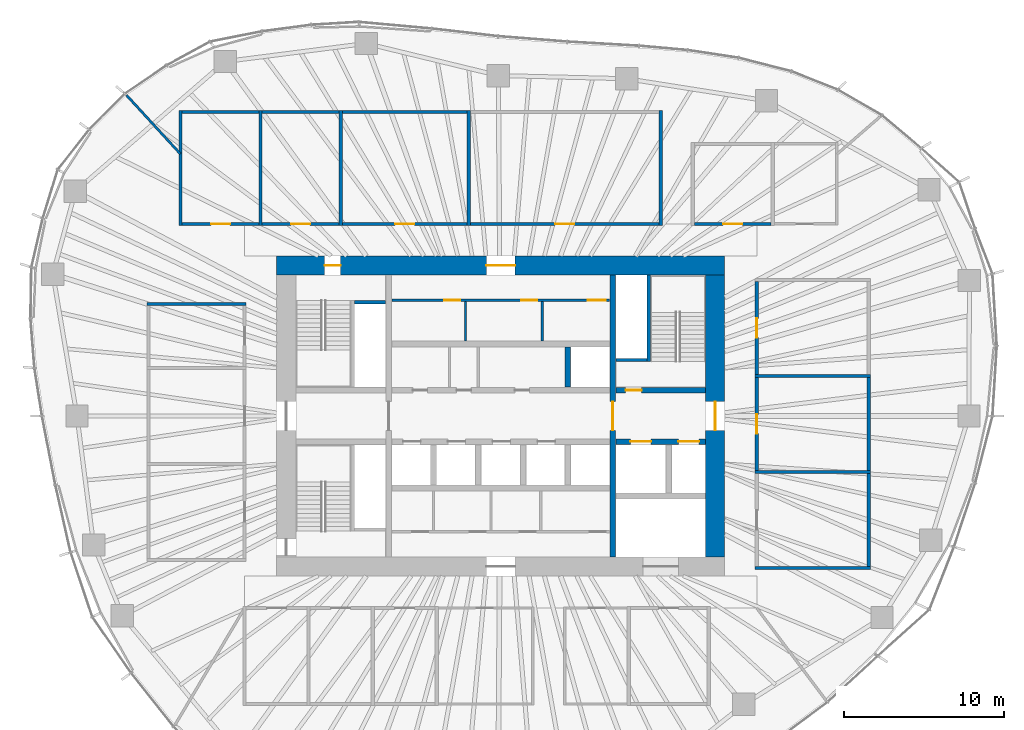
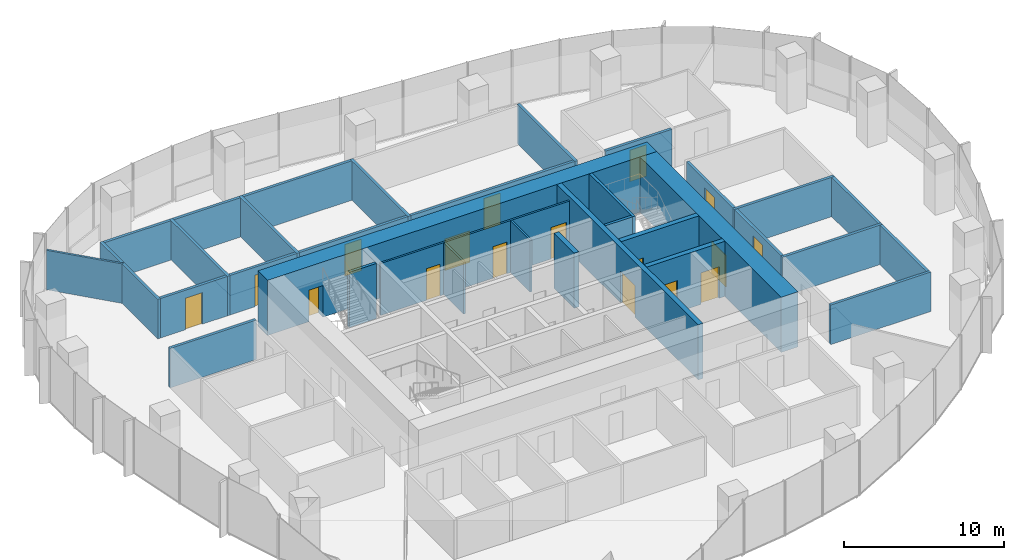
# One storey, part 10 of 18: 34 walls, 17 doors, 17 openings.
"""IFC4 building model written with IfcOpenShell, lengths in metres."""

from ifc_helpers import new_model, si_unit, direction, frame, frame_2d, origin, place, context, subcontext, project, spatial, rectangle, extrude, material, layer, layer_set, type_object, element, fill, save


model = new_model("IFC4")

# Units and contexts
model_context = context("Model", 3, precision=1e-05, world=origin(), true_north=direction((0.0, 1.0)))
body_context = subcontext(model_context, "Body", "Model", "MODEL_VIEW")
ifc_project = project(units=[si_unit("LENGTHUNIT", "METRE"), si_unit("AREAUNIT", "SQUARE_METRE"), si_unit("VOLUMEUNIT", "CUBIC_METRE"), si_unit("PLANEANGLEUNIT", "RADIAN"), si_unit("MASSUNIT", "GRAM", prefix="KILO")], contexts=[model_context])

# Site, building, storey
site_placement = place(None, origin())
site = spatial("IfcSite", under=ifc_project, at=site_placement, CompositionType="ELEMENT")
building_placement = place(site_placement, origin())
building = spatial("IfcBuilding", under=site, at=building_placement, Name="Ghaith Harvest Tower", CompositionType="ELEMENT")
storey_placement = place(building_placement, frame((0.0, 0.0, 176.39990234375)))
storey = spatial("IfcBuildingStorey", under=building, at=storey_placement, Name="L38", CompositionType="ELEMENT", Elevation=176.39990234375)

# Walls
ifc_material_1 = material(Name="Twin-stud gypsum board, acoustic", Category="gypsum")
ifc_layer_1 = layer(ifc_material_1, 0.199951171875)
ifc_layer_set_1 = layer_set([ifc_layer_1], Name="ACOUSTIC PARTITION 200")
wall_type_1 = type_object("IfcWallType", Name="ACOUSTIC PARTITION 200", PredefinedType="PARTITIONING", material=ifc_layer_set_1)
for number, where, z_axis, x_axis, name in (
    (1, (-20.0, 11.89990234375, 0.0), (0.0, 0.0, 1.0), (0.0, 1.0, 0.0), "Partition L38 row N1 cross wall 1"),
    (2, (-15.0, 11.89990234375, 0.0), (0.0, 0.0, 1.0), (0.0, 1.0, 0.0), "Partition L38 row N1 cross wall 2"),
    (3, (-10.0, 11.89990234375, 0.0), (0.0, 0.0, 1.0), (0.0, 1.0, 0.0), "Partition L38 row N1 cross wall 3"),
    (4, (-2.0, 11.89990234375, 0.0), (0.0, 0.0, 1.0), (0.0, 1.0, 0.0), "Partition L38 row N1 cross wall 4"),
    (5, (10.0, 11.89990234375, 0.0), (0.0, 0.0, 1.0), (0.0, 1.0, 0.0), "Partition L38 row N1 cross wall 5"),
):
    element("IfcWall", number, at=place(storey_placement, frame(where, z_axis=z_axis, x_axis=x_axis)), inside=storey, type_object=wall_type_1, Name=name, PredefinedType="PARTITIONING", context=body_context, shape_type="SweptSolid", body=[
        extrude(rectangle(XDim=7.2001953125, YDim=0.199951171875, at=frame_2d((3.60009765625, 0.0))), origin(), (0.0, 0.0, 1.0), 3.0),
    ])

# Wall, opening, door
wall_1_placement = place(storey_placement, frame((-19.89990234375, 12.0, 0.0), z_axis=(0.0, 0.0, 1.0), x_axis=(1.0, 0.0, 0.0)))
wall_1 = element("IfcWall", 6, at=wall_1_placement, inside=storey, type_object=wall_type_1, Name="Partition L38-01", PredefinedType="PARTITIONING", context=body_context, shape_type="SweptSolid", body=[
    extrude(rectangle(XDim=4.7998046875, YDim=0.199951171875, at=frame_2d((2.39990234375, 0.0))), origin(), (0.0, 0.0, 1.0), 3.0),
])
opening_1_placement = place(wall_1_placement, frame((1.800048828125, 0.0, 0.0)))
opening_1 = element("IfcOpeningElement", 7, at=opening_1_placement, cuts=wall_1, Name="Opening 38-027", PredefinedType="OPENING", context=body_context, shape_type="SweptSolid", body=[
    extrude(rectangle(XDim=1.199951171875, YDim=2.39990234375, at=frame_2d((0.60009765625, 1.199951171875))), frame((0.0, 0.10986328125, 0.0), z_axis=(0.0, -1.0, 0.0), x_axis=(1.0, 0.0, 0.0)), (0.0, 0.0, 1.0), 0.219970703125),
])
ifc_material_2 = material(Name="Timber door", Category="wood")
door_type_1 = type_object("IfcDoorType", Name="D11 GLAZED 1200x2400", OperationType="SINGLE_SWING_LEFT", PredefinedType="DOOR", material=ifc_material_2)
door_1_placement = place(opening_1_placement, origin())
door_1 = element("IfcDoor", 8, at=door_1_placement, inside=storey, type_object=door_type_1, Name="Meeting room door", OperationType="SINGLE_SWING_LEFT", OverallHeight=2.39990234375, OverallWidth=1.199951171875, PredefinedType="DOOR", context=body_context, shape_type="SweptSolid", body=[
    extrude(rectangle(XDim=1.199951171875, YDim=2.39990234375, at=frame_2d((0.60009765625, 1.199951171875))), frame((0.0, 0.02490234375, 0.0), z_axis=(0.0, -1.0, 0.0), x_axis=(1.0, 0.0, 0.0)), (0.0, 0.0, 1.0), 0.050048828125),
])
fill(opening_1, door_1)

# Wall
wall_2_placement = place(storey_placement, frame((-19.89990234375, 19.0, 0.0), z_axis=(0.0, 0.0, 1.0), x_axis=(1.0, 0.0, 0.0)))
element("IfcWall", 9, at=wall_2_placement, inside=storey, type_object=wall_type_1, Name="Partition L38-01", PredefinedType="PARTITIONING", context=body_context, shape_type="SweptSolid", body=[
    extrude(rectangle(XDim=4.7998046875, YDim=0.199951171875, at=frame_2d((2.39990234375, 0.0))), origin(), (0.0, 0.0, 1.0), 3.0),
])

# Wall, opening, door
wall_3_placement = place(storey_placement, frame((-14.89990234375, 12.0, 0.0), z_axis=(0.0, 0.0, 1.0), x_axis=(1.0, 0.0, 0.0)))
wall_3 = element("IfcWall", 10, at=wall_3_placement, inside=storey, type_object=wall_type_1, Name="Partition L38-02", PredefinedType="PARTITIONING", context=body_context, shape_type="SweptSolid", body=[
    extrude(rectangle(XDim=4.7998046875, YDim=0.199951171875, at=frame_2d((2.39990234375, 0.0))), origin(), (0.0, 0.0, 1.0), 3.0),
])
opening_2_placement = place(wall_3_placement, frame((1.800048828125, 0.0, 0.0)))
opening_2 = element("IfcOpeningElement", 11, at=opening_2_placement, cuts=wall_3, Name="Opening 38-028", PredefinedType="OPENING", context=body_context, shape_type="SweptSolid", body=[
    extrude(rectangle(XDim=1.199951171875, YDim=2.39990234375, at=frame_2d((0.60009765625, 1.199951171875))), frame((0.0, 0.10986328125, 0.0), z_axis=(0.0, -1.0, 0.0), x_axis=(1.0, 0.0, 0.0)), (0.0, 0.0, 1.0), 0.219970703125),
])
door_2_placement = place(opening_2_placement, origin())
door_2 = element("IfcDoor", 12, at=door_2_placement, inside=storey, type_object=door_type_1, Name="Meeting room door", OperationType="SINGLE_SWING_LEFT", OverallHeight=2.39990234375, OverallWidth=1.199951171875, PredefinedType="DOOR", context=body_context, shape_type="SweptSolid", body=[
    extrude(rectangle(XDim=1.199951171875, YDim=2.39990234375, at=frame_2d((0.60009765625, 1.199951171875))), frame((0.0, 0.02490234375, 0.0), z_axis=(0.0, -1.0, 0.0), x_axis=(1.0, 0.0, 0.0)), (0.0, 0.0, 1.0), 0.050048828125),
])
fill(opening_2, door_2)

# Wall
wall_4_placement = place(storey_placement, frame((-14.89990234375, 19.0, 0.0), z_axis=(0.0, 0.0, 1.0), x_axis=(1.0, 0.0, 0.0)))
element("IfcWall", 13, at=wall_4_placement, inside=storey, type_object=wall_type_1, Name="Partition L38-02", PredefinedType="PARTITIONING", context=body_context, shape_type="SweptSolid", body=[
    extrude(rectangle(XDim=4.7998046875, YDim=0.199951171875, at=frame_2d((2.39990234375, 0.0))), origin(), (0.0, 0.0, 1.0), 3.0),
])

# Wall, opening, door
wall_5_placement = place(storey_placement, frame((-9.89990234375, 12.0, 0.0), z_axis=(0.0, 0.0, 1.0), x_axis=(1.0, 0.0, 0.0)))
wall_5 = element("IfcWall", 14, at=wall_5_placement, inside=storey, type_object=wall_type_1, Name="Partition L38-03", PredefinedType="PARTITIONING", context=body_context, shape_type="SweptSolid", body=[
    extrude(rectangle(XDim=7.7998046875, YDim=0.199951171875, at=frame_2d((3.89990234375, 0.0))), origin(), (0.0, 0.0, 1.0), 3.0),
])
opening_3_placement = place(wall_5_placement, frame((3.300048828125, 0.0, 0.0)))
opening_3 = element("IfcOpeningElement", 15, at=opening_3_placement, cuts=wall_5, Name="Opening 38-029", PredefinedType="OPENING", context=body_context, shape_type="SweptSolid", body=[
    extrude(rectangle(XDim=1.199951171875, YDim=2.39990234375, at=frame_2d((0.60009765625, 1.199951171875))), frame((0.0, 0.10986328125, 0.0), z_axis=(0.0, -1.0, 0.0), x_axis=(1.0, 0.0, 0.0)), (0.0, 0.0, 1.0), 0.219970703125),
])
door_3_placement = place(opening_3_placement, origin())
door_3 = element("IfcDoor", 16, at=door_3_placement, inside=storey, type_object=door_type_1, Name="Meeting room door", OperationType="SINGLE_SWING_LEFT", OverallHeight=2.39990234375, OverallWidth=1.199951171875, PredefinedType="DOOR", context=body_context, shape_type="SweptSolid", body=[
    extrude(rectangle(XDim=1.199951171875, YDim=2.39990234375, at=frame_2d((0.60009765625, 1.199951171875))), frame((0.0, 0.02490234375, 0.0), z_axis=(0.0, -1.0, 0.0), x_axis=(1.0, 0.0, 0.0)), (0.0, 0.0, 1.0), 0.050048828125),
])
fill(opening_3, door_3)

# Wall
wall_6_placement = place(storey_placement, frame((-9.89990234375, 19.0, 0.0), z_axis=(0.0, 0.0, 1.0), x_axis=(1.0, 0.0, 0.0)))
element("IfcWall", 17, at=wall_6_placement, inside=storey, type_object=wall_type_1, Name="Partition L38-03", PredefinedType="PARTITIONING", context=body_context, shape_type="SweptSolid", body=[
    extrude(rectangle(XDim=7.7998046875, YDim=0.199951171875, at=frame_2d((3.89990234375, 0.0))), origin(), (0.0, 0.0, 1.0), 3.0),
])

# Wall, opening, door
wall_7_placement = place(storey_placement, frame((-1.89990234375, 12.0, 0.0), z_axis=(0.0, 0.0, 1.0), x_axis=(1.0, 0.0, 0.0)))
wall_7 = element("IfcWall", 18, at=wall_7_placement, inside=storey, type_object=wall_type_1, Name="Partition L38-04", PredefinedType="PARTITIONING", context=body_context, shape_type="SweptSolid", body=[
    extrude(rectangle(XDim=11.7998046875, YDim=0.199951171875, at=frame_2d((5.89990234375, 0.0))), origin(), (0.0, 0.0, 1.0), 3.0),
])
opening_4_placement = place(wall_7_placement, frame((5.300048828125, 0.0, 0.0)))
opening_4 = element("IfcOpeningElement", 19, at=opening_4_placement, cuts=wall_7, Name="Opening 38-030", PredefinedType="OPENING", context=body_context, shape_type="SweptSolid", body=[
    extrude(rectangle(XDim=1.199951171875, YDim=2.39990234375, at=frame_2d((0.60009765625, 1.199951171875))), frame((0.0, 0.10986328125, 0.0), z_axis=(0.0, -1.0, 0.0), x_axis=(1.0, 0.0, 0.0)), (0.0, 0.0, 1.0), 0.219970703125),
])
door_4_placement = place(opening_4_placement, origin())
door_4 = element("IfcDoor", 20, at=door_4_placement, inside=storey, type_object=door_type_1, Name="Boardroom door", OperationType="SINGLE_SWING_LEFT", OverallHeight=2.39990234375, OverallWidth=1.199951171875, PredefinedType="DOOR", context=body_context, shape_type="SweptSolid", body=[
    extrude(rectangle(XDim=1.199951171875, YDim=2.39990234375, at=frame_2d((0.60009765625, 1.199951171875))), frame((0.0, 0.02490234375, 0.0), z_axis=(0.0, -1.0, 0.0), x_axis=(1.0, 0.0, 0.0)), (0.0, 0.0, 1.0), 0.050048828125),
])
fill(opening_4, door_4)

# Walls
for number, where, z_axis, x_axis, name in (
    (21, (15.89990234375, -9.5, 0.0), (0.0, 0.0, 1.0), (1.0, 0.0, 0.0), "Partition L38 row E2 cross wall 1"),
    (22, (15.89990234375, -3.5, 0.0), (0.0, 0.0, 1.0), (1.0, 0.0, 0.0), "Partition L38 row E2 cross wall 2"),
    (23, (15.89990234375, 2.5, 0.0), (0.0, 0.0, 1.0), (1.0, 0.0, 0.0), "Partition L38 row E2 cross wall 3"),
):
    element("IfcWall", number, at=place(storey_placement, frame(where, z_axis=z_axis, x_axis=x_axis)), inside=storey, type_object=wall_type_1, Name=name, PredefinedType="PARTITIONING", context=body_context, shape_type="SweptSolid", body=[
        extrude(rectangle(XDim=7.2001953125, YDim=0.199951171875, at=frame_2d((3.60009765625, 0.0))), origin(), (0.0, 0.0, 1.0), 3.0),
    ])
wall_8_placement = place(storey_placement, frame((23.0, -9.39990234375, 0.0), z_axis=(0.0, 0.0, 1.0), x_axis=(0.0, 1.0, 0.0)))
element("IfcWall", 24, at=wall_8_placement, inside=storey, type_object=wall_type_1, Name="Partition L38-05", PredefinedType="PARTITIONING", context=body_context, shape_type="SweptSolid", body=[
    extrude(rectangle(XDim=5.7998046875, YDim=0.199951171875, at=frame_2d((2.89990234375, 0.0))), origin(), (0.0, 0.0, 1.0), 3.0),
])

# Wall, opening, door
wall_9_placement = place(storey_placement, frame((16.0, -3.39990234375, 0.0), z_axis=(0.0, 0.0, 1.0), x_axis=(0.0, 1.0, 0.0)))
wall_9 = element("IfcWall", 25, at=wall_9_placement, inside=storey, type_object=wall_type_1, Name="Partition L38-06", PredefinedType="PARTITIONING", context=body_context, shape_type="SweptSolid", body=[
    extrude(rectangle(XDim=5.7998046875, YDim=0.199951171875, at=frame_2d((2.89990234375, 0.0))), origin(), (0.0, 0.0, 1.0), 3.0),
])
opening_5_placement = place(wall_9_placement, frame((2.300048828125, 0.0, 0.0)))
opening_5 = element("IfcOpeningElement", 26, at=opening_5_placement, cuts=wall_9, Name="Opening 38-032", PredefinedType="OPENING", context=body_context, shape_type="SweptSolid", body=[
    extrude(rectangle(XDim=1.199951171875, YDim=2.39990234375, at=frame_2d((0.60009765625, 1.199951171875))), frame((0.0, 0.10986328125, 0.0), z_axis=(0.0, -1.0, 0.0), x_axis=(1.0, 0.0, 0.0)), (0.0, 0.0, 1.0), 0.219970703125),
])
door_5_placement = place(opening_5_placement, origin())
door_5 = element("IfcDoor", 27, at=door_5_placement, inside=storey, type_object=door_type_1, Name="Meeting room door", OperationType="SINGLE_SWING_LEFT", OverallHeight=2.39990234375, OverallWidth=1.199951171875, PredefinedType="DOOR", context=body_context, shape_type="SweptSolid", body=[
    extrude(rectangle(XDim=1.199951171875, YDim=2.39990234375, at=frame_2d((0.60009765625, 1.199951171875))), frame((0.0, 0.02490234375, 0.0), z_axis=(0.0, -1.0, 0.0), x_axis=(1.0, 0.0, 0.0)), (0.0, 0.0, 1.0), 0.050048828125),
])
fill(opening_5, door_5)

# Wall
wall_10_placement = place(storey_placement, frame((23.0, -3.39990234375, 0.0), z_axis=(0.0, 0.0, 1.0), x_axis=(0.0, 1.0, 0.0)))
element("IfcWall", 28, at=wall_10_placement, inside=storey, type_object=wall_type_1, Name="Partition L38-06", PredefinedType="PARTITIONING", context=body_context, shape_type="SweptSolid", body=[
    extrude(rectangle(XDim=5.7998046875, YDim=0.199951171875, at=frame_2d((2.89990234375, 0.0))), origin(), (0.0, 0.0, 1.0), 3.0),
])

# Wall, opening, door
wall_11_placement = place(storey_placement, frame((16.0, 2.60009765625, 0.0), z_axis=(0.0, 0.0, 1.0), x_axis=(0.0, 1.0, 0.0)))
wall_11 = element("IfcWall", 29, at=wall_11_placement, inside=storey, type_object=wall_type_1, Name="Partition L38-07", PredefinedType="PARTITIONING", context=body_context, shape_type="SweptSolid", body=[
    extrude(rectangle(XDim=5.7998046875, YDim=0.199951171875, at=frame_2d((2.89990234375, 0.0))), origin(), (0.0, 0.0, 1.0), 3.0),
])
opening_6_placement = place(wall_11_placement, frame((2.300048828125, 0.0, 0.0)))
opening_6 = element("IfcOpeningElement", 30, at=opening_6_placement, cuts=wall_11, Name="Opening 38-033", PredefinedType="OPENING", context=body_context, shape_type="SweptSolid", body=[
    extrude(rectangle(XDim=1.199951171875, YDim=2.39990234375, at=frame_2d((0.60009765625, 1.199951171875))), frame((0.0, 0.10986328125, 0.0), z_axis=(0.0, -1.0, 0.0), x_axis=(1.0, 0.0, 0.0)), (0.0, 0.0, 1.0), 0.219970703125),
])
door_6_placement = place(opening_6_placement, origin())
door_6 = element("IfcDoor", 31, at=door_6_placement, inside=storey, type_object=door_type_1, Name="Meeting room door", OperationType="SINGLE_SWING_LEFT", OverallHeight=2.39990234375, OverallWidth=1.199951171875, PredefinedType="DOOR", context=body_context, shape_type="SweptSolid", body=[
    extrude(rectangle(XDim=1.199951171875, YDim=2.39990234375, at=frame_2d((0.60009765625, 1.199951171875))), frame((0.0, 0.02490234375, 0.0), z_axis=(0.0, -1.0, 0.0), x_axis=(1.0, 0.0, 0.0)), (0.0, 0.0, 1.0), 0.050048828125),
])
fill(opening_6, door_6)

# Wall
wall_12_placement = place(storey_placement, frame((-15.89990234375, 7.0, 0.0), z_axis=(0.0, 0.0, 1.0), x_axis=(-1.0, 0.0, 0.0)))
element("IfcWall", 32, at=wall_12_placement, inside=storey, type_object=wall_type_1, Name="Partition L38 row W5 cross wall 4", PredefinedType="PARTITIONING", context=body_context, shape_type="SweptSolid", body=[
    extrude(rectangle(XDim=6.2001953125, YDim=0.199951171875, at=frame_2d((3.10009765625, 0.0))), origin(), (0.0, 0.0, 1.0), 3.0),
])

# Wall, opening, door
wall_13_placement = place(storey_placement, frame((12.10009765625, 12.0, 0.0), z_axis=(0.0, 0.0, 1.0), x_axis=(1.0, 0.0, 0.0)))
wall_13 = element("IfcWall", 33, at=wall_13_placement, inside=storey, type_object=wall_type_1, Name="Partition L38-17", PredefinedType="PARTITIONING", context=body_context, shape_type="SweptSolid", body=[
    extrude(rectangle(XDim=4.7998046875, YDim=0.199951171875, at=frame_2d((2.39990234375, 0.0))), origin(), (0.0, 0.0, 1.0), 3.0),
])
opening_7_placement = place(wall_13_placement, frame((1.800048828125, 0.0, 0.0)))
opening_7 = element("IfcOpeningElement", 34, at=opening_7_placement, cuts=wall_13, Name="Opening 38-043", PredefinedType="OPENING", context=body_context, shape_type="SweptSolid", body=[
    extrude(rectangle(XDim=1.199951171875, YDim=2.39990234375, at=frame_2d((0.60009765625, 1.199951171875))), frame((0.0, 0.10986328125, 0.0), z_axis=(0.0, -1.0, 0.0), x_axis=(1.0, 0.0, 0.0)), (0.0, 0.0, 1.0), 0.219970703125),
])
door_7_placement = place(opening_7_placement, origin())
door_7 = element("IfcDoor", 35, at=door_7_placement, inside=storey, type_object=door_type_1, Name="Meeting room door", OperationType="SINGLE_SWING_LEFT", OverallHeight=2.39990234375, OverallWidth=1.199951171875, PredefinedType="DOOR", context=body_context, shape_type="SweptSolid", body=[
    extrude(rectangle(XDim=1.199951171875, YDim=2.39990234375, at=frame_2d((0.60009765625, 1.199951171875))), frame((0.0, 0.02490234375, 0.0), z_axis=(0.0, -1.0, 0.0), x_axis=(1.0, 0.0, 0.0)), (0.0, 0.0, 1.0), 0.050048828125),
])
fill(opening_7, door_7)

# Wall, openings, doors
ifc_material_3 = material(Name="Concrete blockwork, fair-faced", Category="masonry")
ifc_layer_2 = layer(ifc_material_3, 0.139892578125)
ifc_layer_set_2 = layer_set([ifc_layer_2], Name="CORE PARTITION 140")
wall_type_2 = type_object("IfcWallType", Name="CORE PARTITION 140", PredefinedType="PARTITIONING", material=ifc_layer_set_2)
wall_14_placement = place(storey_placement, frame((-6.800048828125, 7.22998046875, 0.0), z_axis=(0.0, 0.0, 1.0), x_axis=(1.0, 0.0, 0.0)))
wall_14 = element("IfcWall", 36, at=wall_14_placement, inside=storey, type_object=wall_type_2, Name="Core partition L38", PredefinedType="PARTITIONING", context=body_context, shape_type="SweptSolid", body=[
    extrude(rectangle(XDim=13.60009765625, YDim=0.139892578125, at=frame_2d((6.800048828125, 0.0))), origin(), (0.0, 0.0, 1.0), 3.9501953125),
])
opening_8_placement = place(wall_14_placement, frame((3.280029296875, 0.0, 0.0)))
opening_8 = element("IfcOpeningElement", 37, at=opening_8_placement, cuts=wall_14, Name="Opening 38-008", PredefinedType="OPENING", context=body_context, shape_type="SweptSolid", body=[
    extrude(rectangle(XDim=1.0, YDim=2.39990234375, at=frame_2d((0.5, 1.199951171875))), frame((0.0, 0.080078125, 0.0), z_axis=(0.0, -1.0, 0.0), x_axis=(1.0, 0.0, 0.0)), (0.0, 0.0, 1.0), 0.159912109375),
])
opening_9_placement = place(wall_14_placement, frame((8.080078125, 0.0, 0.0)))
opening_9 = element("IfcOpeningElement", 38, at=opening_9_placement, cuts=wall_14, Name="Opening 38-009", PredefinedType="OPENING", context=body_context, shape_type="SweptSolid", body=[
    extrude(rectangle(XDim=1.0, YDim=2.39990234375, at=frame_2d((0.5, 1.199951171875))), frame((0.0, 0.080078125, 0.0), z_axis=(0.0, -1.0, 0.0), x_axis=(1.0, 0.0, 0.0)), (0.0, 0.0, 1.0), 0.159912109375),
])
opening_10_placement = place(wall_14_placement, frame((12.25, 0.0, 0.0)))
opening_10 = element("IfcOpeningElement", 39, at=opening_10_placement, cuts=wall_14, Name="Opening 38-010", PredefinedType="OPENING", context=body_context, shape_type="SweptSolid", body=[
    extrude(rectangle(XDim=1.10009765625, YDim=2.39990234375, at=frame_2d((0.550048828125, 1.199951171875))), frame((0.0, 0.080078125, 0.0), z_axis=(0.0, -1.0, 0.0), x_axis=(1.0, 0.0, 0.0)), (0.0, 0.0, 1.0), 0.159912109375),
])
ifc_material_4 = material(Name="Steel fire door", Category="steel")
door_type_2 = type_object("IfcDoorType", Name="D3 FD90 1000x2400", OperationType="SINGLE_SWING_LEFT", PredefinedType="DOOR", material=ifc_material_4)
door_8_placement = place(opening_8_placement, origin())
door_8 = element("IfcDoor", 40, at=door_8_placement, inside=storey, type_object=door_type_2, Name="Female WC door", OperationType="SINGLE_SWING_LEFT", OverallHeight=2.39990234375, OverallWidth=1.0, PredefinedType="DOOR", context=body_context, shape_type="SweptSolid", body=[
    extrude(rectangle(XDim=1.0, YDim=2.39990234375, at=frame_2d((0.5, 1.199951171875))), frame((0.0, 0.02490234375, 0.0), z_axis=(0.0, -1.0, 0.0), x_axis=(1.0, 0.0, 0.0)), (0.0, 0.0, 1.0), 0.050048828125),
])
fill(opening_8, door_8)
door_9_placement = place(opening_9_placement, origin())
door_9 = element("IfcDoor", 41, at=door_9_placement, inside=storey, type_object=door_type_2, Name="Male WC door", OperationType="SINGLE_SWING_RIGHT", OverallHeight=2.39990234375, OverallWidth=1.0, PredefinedType="DOOR", context=body_context, shape_type="SweptSolid", body=[
    extrude(rectangle(XDim=1.0, YDim=2.39990234375, at=frame_2d((0.5, 1.199951171875))), frame((0.0, 0.02490234375, 0.0), z_axis=(0.0, -1.0, 0.0), x_axis=(1.0, 0.0, 0.0)), (0.0, 0.0, 1.0), 0.050048828125),
])
fill(opening_9, door_9)
ifc_material_5 = material(Name="Steel fire door", Category="steel")
door_type_3 = type_object("IfcDoorType", Name="D9 FD90 1100x2400", OperationType="SINGLE_SWING_LEFT", PredefinedType="DOOR", material=ifc_material_5)
door_10_placement = place(opening_10_placement, origin())
door_10 = element("IfcDoor", 42, at=door_10_placement, inside=storey, type_object=door_type_3, Name="Accessible WC door", OperationType="SINGLE_SWING_RIGHT", OverallHeight=2.39990234375, OverallWidth=1.10009765625, PredefinedType="DOOR", context=body_context, shape_type="SweptSolid", body=[
    extrude(rectangle(XDim=1.10009765625, YDim=2.39990234375, at=frame_2d((0.550048828125, 1.199951171875))), frame((0.0, 0.02490234375, 0.0), z_axis=(0.0, -1.0, 0.0), x_axis=(1.0, 0.0, 0.0)), (0.0, 0.0, 1.0), 0.050048828125),
])
fill(opening_10, door_10)

# Walls
for number, where, z_axis, x_axis, name in (
    (43, (-2.199951171875, 4.699951171875, 0.0), (0.0, 0.0, 1.0), (0.0, 1.0, 0.0), "Core partition L38"),
    (44, (2.60009765625, 4.699951171875, 0.0), (0.0, 0.0, 1.0), (0.0, 1.0, 0.0), "Core partition L38"),
):
    element("IfcWall", number, at=place(storey_placement, frame(where, z_axis=z_axis, x_axis=x_axis)), inside=storey, type_object=wall_type_2, Name=name, PredefinedType="PARTITIONING", context=body_context, shape_type="SweptSolid", body=[
        extrude(rectangle(XDim=2.4599609375, YDim=0.139892578125, at=frame_2d((1.22998046875, 0.0))), origin(), (0.0, 0.0, 1.0), 3.9501953125),
    ])

# Wall, openings, doors
ifc_material_6 = material(Name="Concrete C60/75", Category="concrete")
ifc_layer_3 = layer(ifc_material_6, 1.199951171875)
ifc_layer_set_3 = layer_set([ifc_layer_3], Name="CORE WALL CW1200 C60")
wall_type_3 = type_object("IfcWallType", Name="CORE WALL CW1200 C60", PredefinedType="SHEAR", material=ifc_layer_set_3)
wall_15_placement = place(storey_placement, frame((14.0, 9.39990234375, 0.0), z_axis=(0.0, 0.0, 1.0), x_axis=(-1.0, 0.0, 0.0)))
wall_15 = element("IfcWall", 45, at=wall_15_placement, inside=storey, type_object=wall_type_3, Name="Core wall N L38", PredefinedType="SHEAR", context=body_context, shape_type="SweptSolid", body=[
    extrude(rectangle(XDim=28.0, YDim=1.199951171875, at=frame_2d((14.0, 0.0))), origin(), (0.0, 0.0, 1.0), 4.2001953125),
])
opening_11_placement = place(wall_15_placement, frame((24.0, 0.0, 0.0)))
opening_11 = element("IfcOpeningElement", 46, at=opening_11_placement, cuts=wall_15, Name="Opening 38-005", PredefinedType="OPENING", context=body_context, shape_type="SweptSolid", body=[
    extrude(rectangle(XDim=1.0, YDim=2.39990234375, at=frame_2d((0.5, 1.199951171875))), frame((0.0, 0.60986328125, 0.0), z_axis=(0.0, -1.0, 0.0), x_axis=(1.0, 0.0, 0.0)), (0.0, 0.0, 1.0), 1.219970703125),
])
opening_12_placement = place(wall_15_placement, frame((13.10009765625, 0.0, 0.0)))
opening_12 = element("IfcOpeningElement", 47, at=opening_12_placement, cuts=wall_15, Name="Opening 38-018", PredefinedType="OPENING", context=body_context, shape_type="SweptSolid", body=[
    extrude(rectangle(XDim=1.800048828125, YDim=2.39990234375, at=frame_2d((0.89990234375, 1.199951171875))), frame((0.0, 0.60986328125, 0.0), z_axis=(0.0, -1.0, 0.0), x_axis=(1.0, 0.0, 0.0)), (0.0, 0.0, 1.0), 1.219970703125),
])
door_11_placement = place(opening_11_placement, origin())
door_11 = element("IfcDoor", 48, at=door_11_placement, inside=storey, type_object=door_type_2, Name="Stair ST1 door", OperationType="SINGLE_SWING_RIGHT", OverallHeight=2.39990234375, OverallWidth=1.0, PredefinedType="DOOR", context=body_context, shape_type="SweptSolid", body=[
    extrude(rectangle(XDim=1.0, YDim=2.39990234375, at=frame_2d((0.5, 1.199951171875))), frame((0.0, 0.02490234375, 0.0), z_axis=(0.0, -1.0, 0.0), x_axis=(1.0, 0.0, 0.0)), (0.0, 0.0, 1.0), 0.050048828125),
])
fill(opening_11, door_11)
ifc_material_7 = material(Name="Steel fire door", Category="steel")
door_type_4 = type_object("IfcDoorType", Name="D4 FD90 PAIR 1800x2400", OperationType="DOUBLE_DOOR_SINGLE_SWING", PredefinedType="DOOR", material=ifc_material_7)
door_12_placement = place(opening_12_placement, origin())
door_12 = element("IfcDoor", 49, at=door_12_placement, inside=storey, type_object=door_type_4, Name="Core service corridor doors", OperationType="DOUBLE_DOOR_SINGLE_SWING", OverallHeight=2.39990234375, OverallWidth=1.800048828125, PredefinedType="DOOR", context=body_context, shape_type="SweptSolid", body=[
    extrude(rectangle(XDim=1.800048828125, YDim=2.39990234375, at=frame_2d((0.89990234375, 1.199951171875))), frame((0.0, 0.02490234375, 0.0), z_axis=(0.0, -1.0, 0.0), x_axis=(1.0, 0.0, 0.0)), (0.0, 0.0, 1.0), 0.050048828125),
])
fill(opening_12, door_12)

# Wall, opening, door
wall_16_placement = place(storey_placement, frame((13.39990234375, -8.800048828125, 0.0), z_axis=(0.0, 0.0, 1.0), x_axis=(0.0, 1.0, 0.0)))
wall_16 = element("IfcWall", 50, at=wall_16_placement, inside=storey, type_object=wall_type_3, Name="Core wall E L38", PredefinedType="SHEAR", context=body_context, shape_type="SweptSolid", body=[
    extrude(rectangle(XDim=17.60009765625, YDim=1.199951171875, at=frame_2d((8.800048828125, 0.0))), origin(), (0.0, 0.0, 1.0), 4.2001953125),
])
opening_13_placement = place(wall_16_placement, frame((7.89990234375, 0.0, 0.0)))
opening_13 = element("IfcOpeningElement", 51, at=opening_13_placement, cuts=wall_16, Name="Opening 38-002", PredefinedType="OPENING", context=body_context, shape_type="SweptSolid", body=[
    extrude(rectangle(XDim=1.800048828125, YDim=2.39990234375, at=frame_2d((0.89990234375, 1.199951171875))), frame((0.0, 0.60986328125, 0.0), z_axis=(0.0, -1.0, 0.0), x_axis=(1.0, 0.0, 0.0)), (0.0, 0.0, 1.0), 1.219970703125),
])
door_13_placement = place(opening_13_placement, origin())
door_13 = element("IfcDoor", 52, at=door_13_placement, inside=storey, type_object=door_type_4, Name="Fire-fighting lobby doors", OperationType="DOUBLE_DOOR_SINGLE_SWING", OverallHeight=2.39990234375, OverallWidth=1.800048828125, PredefinedType="DOOR", context=body_context, shape_type="SweptSolid", body=[
    extrude(rectangle(XDim=1.800048828125, YDim=2.39990234375, at=frame_2d((0.89990234375, 1.199951171875))), frame((0.0, 0.02490234375, 0.0), z_axis=(0.0, -1.0, 0.0), x_axis=(1.0, 0.0, 0.0)), (0.0, 0.0, 1.0), 0.050048828125),
])
fill(opening_13, door_13)

# Wall
ifc_material_8 = material(Name="Gypsum board on steel studs", Category="steel")
ifc_layer_4 = layer(ifc_material_8, 0.14990234375)
ifc_layer_set_4 = layer_set([ifc_layer_4], Name="PARTITION 150")
wall_type_4 = type_object("IfcWallType", Name="PARTITION 150", PredefinedType="PARTITIONING", material=ifc_layer_set_4)
wall_17_placement = place(storey_placement, frame((-20.02001953125, 16.380126953125, 0.0), z_axis=(0.0, 0.0, 1.0), x_axis=(-0.676159982548, 0.736754828963, 0.0)))
element("IfcWall", 53, at=wall_17_placement, inside=storey, type_object=wall_type_4, Name="Partition L38 zone division", PredefinedType="PARTITIONING", context=body_context, shape_type="SweptSolid", body=[
    extrude(rectangle(XDim=4.975830078125, YDim=0.14990234375, at=frame_2d((2.48779296875, 0.0))), origin(), (0.0, 0.0, 1.0), 3.0),
])

# Wall, opening, door
ifc_material_9 = material(Name="Concrete C60/75", Category="concrete")
ifc_layer_5 = layer(ifc_material_9, 0.35009765625)
ifc_layer_set_5 = layer_set([ifc_layer_5], Name="SHAFT WALL 350")
wall_type_5 = type_object("IfcWallType", Name="SHAFT WALL 350", PredefinedType="SHEAR", material=ifc_layer_set_5)
wall_18_placement = place(storey_placement, frame((7.0, -8.800048828125, 0.0), z_axis=(0.0, 0.0, 1.0), x_axis=(0.0, 1.0, 0.0)))
wall_18 = element("IfcWall", 54, at=wall_18_placement, inside=storey, type_object=wall_type_5, Name="Shaft wall W7E L38", PredefinedType="SHEAR", context=body_context, shape_type="SweptSolid", body=[
    extrude(rectangle(XDim=17.60009765625, YDim=0.35009765625, at=frame_2d((8.800048828125, 0.0))), origin(), (0.0, 0.0, 1.0), 4.2001953125),
])
opening_14_placement = place(wall_18_placement, frame((7.89990234375, 0.0, 0.0)))
opening_14 = element("IfcOpeningElement", 55, at=opening_14_placement, cuts=wall_18, Name="Opening 38-004", PredefinedType="OPENING", context=body_context, shape_type="SweptSolid", body=[
    extrude(rectangle(XDim=1.800048828125, YDim=2.39990234375, at=frame_2d((0.89990234375, 1.199951171875))), frame((0.0, 0.18505859375, 0.0), z_axis=(0.0, -1.0, 0.0), x_axis=(1.0, 0.0, 0.0)), (0.0, 0.0, 1.0), 0.3701171875),
])
door_14_placement = place(opening_14_placement, origin())
door_14 = element("IfcDoor", 56, at=door_14_placement, inside=storey, type_object=door_type_4, Name="Lift lobby doors, east", OperationType="DOUBLE_DOOR_SINGLE_SWING", OverallHeight=2.39990234375, OverallWidth=1.800048828125, PredefinedType="DOOR", context=body_context, shape_type="SweptSolid", body=[
    extrude(rectangle(XDim=1.800048828125, YDim=2.39990234375, at=frame_2d((0.89990234375, 1.199951171875))), frame((0.0, 0.02490234375, 0.0), z_axis=(0.0, -1.0, 0.0), x_axis=(1.0, 0.0, 0.0)), (0.0, 0.0, 1.0), 0.050048828125),
])
fill(opening_14, door_14)

wall_19_placement = place(storey_placement, frame((7.199951171875, 1.60009765625, 0.0), z_axis=(0.0, 0.0, 1.0), x_axis=(1.0, 0.0, 0.0)))
wall_19 = element("IfcWall", 57, at=wall_19_placement, inside=storey, type_object=wall_type_5, Name="Shaft wall EN L38", PredefinedType="SHEAR", context=body_context, shape_type="SweptSolid", body=[
    extrude(rectangle(XDim=5.60009765625, YDim=0.35009765625, at=frame_2d((2.800048828125, 0.0))), origin(), (0.0, 0.0, 1.0), 4.2001953125),
])
opening_15_placement = place(wall_19_placement, frame((0.60009765625, 0.0, 0.0)))
opening_15 = element("IfcOpeningElement", 58, at=opening_15_placement, cuts=wall_19, Name="Opening 38-007", PredefinedType="OPENING", context=body_context, shape_type="SweptSolid", body=[
    extrude(rectangle(XDim=1.0, YDim=2.39990234375, at=frame_2d((0.5, 1.199951171875))), frame((0.0, 0.18505859375, 0.0), z_axis=(0.0, -1.0, 0.0), x_axis=(1.0, 0.0, 0.0)), (0.0, 0.0, 1.0), 0.3701171875),
])
door_15_placement = place(opening_15_placement, origin())
door_15 = element("IfcDoor", 59, at=door_15_placement, inside=storey, type_object=door_type_2, Name="Stair ST2 door", OperationType="SINGLE_SWING_LEFT", OverallHeight=2.39990234375, OverallWidth=1.0, PredefinedType="DOOR", context=body_context, shape_type="SweptSolid", body=[
    extrude(rectangle(XDim=1.0, YDim=2.39990234375, at=frame_2d((0.5, 1.199951171875))), frame((0.0, 0.02490234375, 0.0), z_axis=(0.0, -1.0, 0.0), x_axis=(1.0, 0.0, 0.0)), (0.0, 0.0, 1.0), 0.050048828125),
])
fill(opening_15, door_15)

# Wall, openings, doors
wall_20_placement = place(storey_placement, frame((7.199951171875, -1.60009765625, 0.0), z_axis=(0.0, 0.0, 1.0), x_axis=(1.0, 0.0, 0.0)))
wall_20 = element("IfcWall", 60, at=wall_20_placement, inside=storey, type_object=wall_type_5, Name="Shaft wall ES L38", PredefinedType="SHEAR", context=body_context, shape_type="SweptSolid", body=[
    extrude(rectangle(XDim=5.60009765625, YDim=0.35009765625, at=frame_2d((2.800048828125, 0.0))), origin(), (0.0, 0.0, 1.0), 4.2001953125),
])
opening_16_placement = place(wall_20_placement, frame((0.89990234375, 0.0, 0.0)))
opening_16 = element("IfcOpeningElement", 61, at=opening_16_placement, cuts=wall_20, Name="Opening 38-024", PredefinedType="OPENING", context=body_context, shape_type="SweptSolid", body=[
    extrude(rectangle(XDim=1.300048828125, YDim=2.39990234375, at=frame_2d((0.64990234375, 1.199951171875))), frame((0.0, 0.18505859375, 0.0), z_axis=(0.0, -1.0, 0.0), x_axis=(1.0, 0.0, 0.0)), (0.0, 0.0, 1.0), 0.3701171875),
])
opening_17_placement = place(wall_20_placement, frame((3.89990234375, 0.0, 0.0)))
opening_17 = element("IfcOpeningElement", 62, at=opening_17_placement, cuts=wall_20, Name="Opening 38-025", PredefinedType="OPENING", context=body_context, shape_type="SweptSolid", body=[
    extrude(rectangle(XDim=1.300048828125, YDim=2.39990234375, at=frame_2d((0.64990234375, 1.199951171875))), frame((0.0, 0.18505859375, 0.0), z_axis=(0.0, -1.0, 0.0), x_axis=(1.0, 0.0, 0.0)), (0.0, 0.0, 1.0), 0.3701171875),
])
ifc_material_10 = material(Name="Steel fire door", Category="steel")
door_type_5 = type_object("IfcDoorType", Name="LD2 LANDING 1300x2400", OperationType="DOUBLE_DOOR_SLIDING", PredefinedType="DOOR", material=ifc_material_10)
door_16_placement = place(opening_16_placement, origin())
door_16 = element("IfcDoor", 63, at=door_16_placement, inside=storey, type_object=door_type_5, Name="Landing door, fire service lift FL1", OperationType="DOUBLE_DOOR_SLIDING", OverallHeight=2.39990234375, OverallWidth=1.300048828125, PredefinedType="DOOR", context=body_context, shape_type="SweptSolid", body=[
    extrude(rectangle(XDim=1.300048828125, YDim=2.39990234375, at=frame_2d((0.64990234375, 1.199951171875))), frame((0.0, 0.02490234375, 0.0), z_axis=(0.0, -1.0, 0.0), x_axis=(1.0, 0.0, 0.0)), (0.0, 0.0, 1.0), 0.050048828125),
])
fill(opening_16, door_16)
door_17_placement = place(opening_17_placement, origin())
door_17 = element("IfcDoor", 64, at=door_17_placement, inside=storey, type_object=door_type_5, Name="Landing door, fire service lift FL2", OperationType="DOUBLE_DOOR_SLIDING", OverallHeight=2.39990234375, OverallWidth=1.300048828125, PredefinedType="DOOR", context=body_context, shape_type="SweptSolid", body=[
    extrude(rectangle(XDim=1.300048828125, YDim=2.39990234375, at=frame_2d((0.64990234375, 1.199951171875))), frame((0.0, 0.02490234375, 0.0), z_axis=(0.0, -1.0, 0.0), x_axis=(1.0, 0.0, 0.0)), (0.0, 0.0, 1.0), 0.050048828125),
])
fill(opening_17, door_17)

# Walls
wall_21_placement = place(storey_placement, frame((4.199951171875, 1.800048828125, 0.0), z_axis=(0.0, 0.0, 1.0), x_axis=(0.0, 1.0, 0.0)))
element("IfcWall", 65, at=wall_21_placement, inside=storey, type_object=wall_type_5, Name="Shaft wall DN4 L38", PredefinedType="SHEAR", context=body_context, shape_type="SweptSolid", body=[
    extrude(rectangle(XDim=2.5, YDim=0.35009765625, at=frame_2d((1.25, 0.0))), origin(), (0.0, 0.0, 1.0), 4.2001953125),
])
ifc_material_11 = material(Name="Concrete C40/50", Category="concrete")
ifc_layer_6 = layer(ifc_material_11, 0.199951171875)
ifc_layer_set_6 = layer_set([ifc_layer_6], Name="STAIR SPINE WALL RC200")
wall_type_6 = type_object("IfcWallType", Name="STAIR SPINE WALL RC200", PredefinedType="SOLIDWALL", material=ifc_layer_set_6)
wall_22_placement = place(storey_placement, frame((-9.14990234375, 7.10009765625, 0.0), z_axis=(0.0, 0.0, 1.0), x_axis=(1.0, 0.0, 0.0)))
element("IfcWall", 66, at=wall_22_placement, inside=storey, type_object=wall_type_6, Name="Stair ST1 spine wall return L38", PredefinedType="SOLIDWALL", context=body_context, shape_type="SweptSolid", body=[
    extrude(rectangle(XDim=1.949951171875, YDim=0.199951171875, at=frame_2d((0.97509765625, 0.0))), origin(), (0.0, 0.0, 1.0), 4.2001953125),
])
wall_23_placement = place(storey_placement, frame((9.25, 3.39990234375, 0.0), z_axis=(0.0, 0.0, 1.0), x_axis=(0.0, 1.0, 0.0)))
element("IfcWall", 67, at=wall_23_placement, inside=storey, type_object=wall_type_6, Name="Stair ST2 spine wall L38", PredefinedType="SOLIDWALL", context=body_context, shape_type="SweptSolid", body=[
    extrude(rectangle(XDim=5.400146484375, YDim=0.199951171875, at=frame_2d((2.7001953125, 0.0))), origin(), (0.0, 0.0, 1.0), 4.2001953125),
])
wall_24_placement = place(storey_placement, frame((9.14990234375, 3.5, 0.0), z_axis=(0.0, 0.0, 1.0), x_axis=(-1.0, 0.0, 0.0)))
element("IfcWall", 68, at=wall_24_placement, inside=storey, type_object=wall_type_6, Name="Stair ST2 spine wall return L38", PredefinedType="SOLIDWALL", context=body_context, shape_type="SweptSolid", body=[
    extrude(rectangle(XDim=1.949951171875, YDim=0.199951171875, at=frame_2d((0.97509765625, 0.0))), origin(), (0.0, 0.0, 1.0), 4.2001953125),
])

save(model, "model.ifc")
